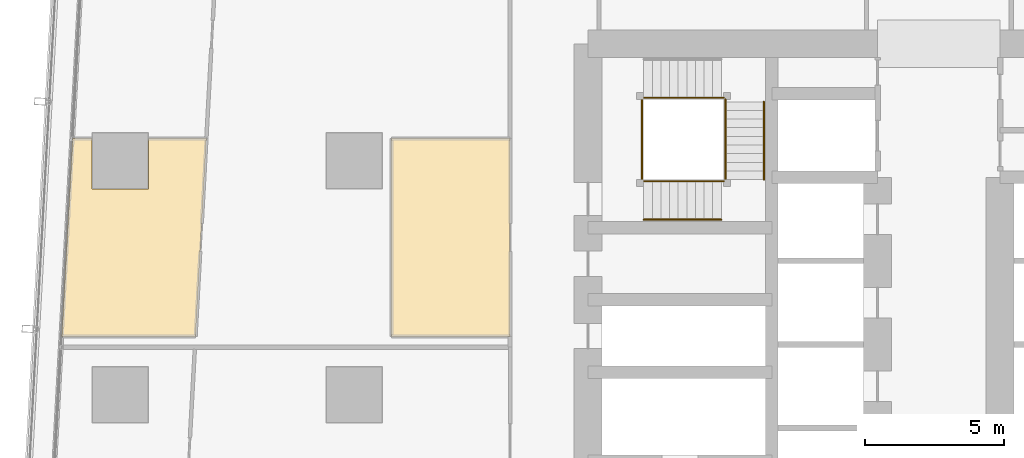
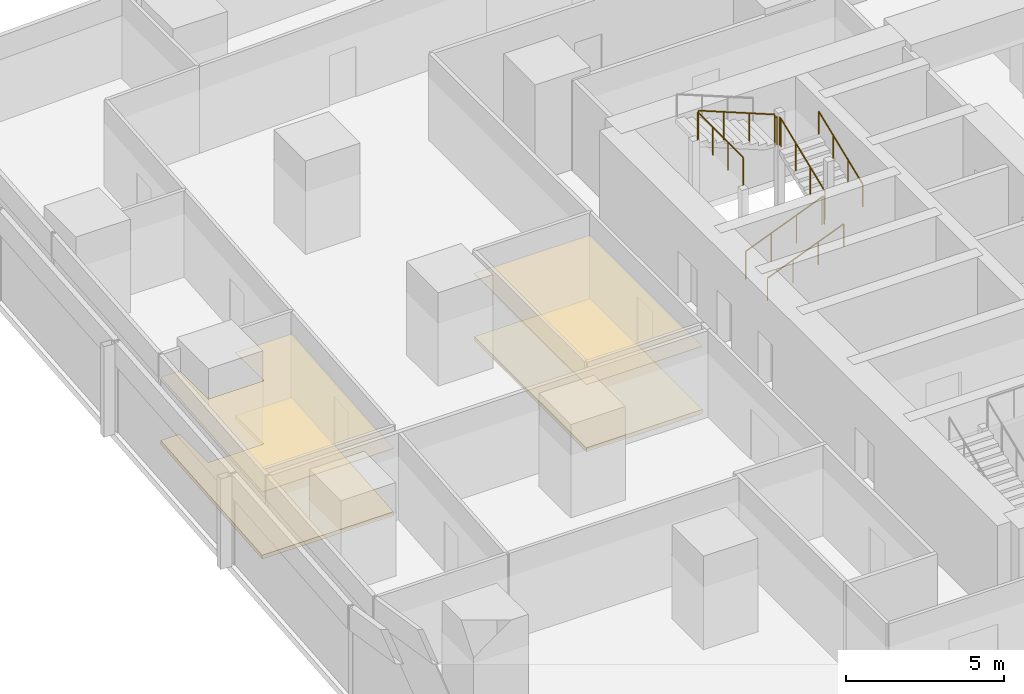
# One storey, part 35 of 39: 9 railings, 4 coverings.
"""IFC4 building model written with IfcOpenShell, lengths in metres."""

from ifc_helpers import new_model, si_unit, direction, frame, origin, origin_2d, place, context, subcontext, project, spatial, polyline, circle, outline, extrude, material, layer, layer_set, type_object, element, save


model = new_model("IFC4")

# Units and contexts
model_context = context("Model", 3, precision=1e-05, world=origin(), true_north=direction((0.0, 1.0)))
body_context = subcontext(model_context, "Body", "Model", "MODEL_VIEW")
ifc_project = project(units=[si_unit("LENGTHUNIT", "METRE"), si_unit("AREAUNIT", "SQUARE_METRE"), si_unit("VOLUMEUNIT", "CUBIC_METRE"), si_unit("PLANEANGLEUNIT", "RADIAN"), si_unit("MASSUNIT", "GRAM", prefix="KILO")], contexts=[model_context])

# Site, building, storey
site_placement = place(None, origin())
site = spatial("IfcSite", under=ifc_project, at=site_placement, CompositionType="ELEMENT")
building_placement = place(site_placement, origin())
building = spatial("IfcBuilding", under=site, at=building_placement, Name="Rekha Terrace Tower", CompositionType="ELEMENT")
storey_placement = place(building_placement, frame((0.0, 0.0, 151.550048828125)))
storey = spatial("IfcBuildingStorey", under=building, at=storey_placement, Name="L38", CompositionType="ELEMENT", Elevation=151.550048828125)

# Coverings
ifc_material_1 = material(Name="Mineral fibre tile in exposed grid", Category="finish")
ifc_layer_1 = layer(ifc_material_1, 0.02001953125)
ifc_layer_set_1 = layer_set([ifc_layer_1], Name="Mineral fibre tile in exposed grid")
covering_type_1 = type_object("IfcCoveringType", Name="CL1 600x1200 office grid ceiling", PredefinedType="CEILING", material=ifc_layer_set_1)
covering_1_placement = place(storey_placement, frame((0.0, 0.0, 2.579833984375)))
element("IfcCovering", 1, at=covering_1_placement, inside=storey, type_object=covering_type_1, Name="Ceiling L38-16", PredefinedType="CEILING", context=body_context, shape_type="SweptSolid", body=[
    extrude(outline(polyline([(7.385009765625, 42.7939453125), (6.68505859375, 42.7939453125), (6.2958984375, 35.68798828125), (11.10302734375, 35.68798828125), (11.492919921875, 42.7939453125), (9.4150390625, 42.7939453125), (9.4150390625, 40.985107421875), (7.385009765625, 40.985107421875), (7.385009765625, 42.7939453125)])), origin(), (0.0, 0.0, 1.0), 0.02001953125),
])
covering_2_placement = place(storey_placement, frame((0.0, 0.0, 2.579833984375)))
element("IfcCovering", 2, at=covering_2_placement, inside=storey, type_object=covering_type_1, Name="Ceiling L38-17", PredefinedType="CEILING", context=body_context, shape_type="SweptSolid", body=[
    extrude(outline(polyline([(22.39990234375, 42.794921875), (18.14990234375, 42.794921875), (18.14990234375, 35.68798828125), (22.39990234375, 35.68798828125), (22.39990234375, 42.794921875)])), origin(), (0.0, 0.0, 1.0), 0.02001953125),
])

# Railings
ifc_material_2 = material(Name="Stainless steel balustrade", Category="steel")
railing_type_1 = type_object("IfcRailingType", Name="GR1 1100 stair guard", PredefinedType="GUARDRAIL", material=ifc_material_2)
railing_1_placement = place(storey_placement, frame((27.199951171875, 41.264892578125, 0.125)))
element("IfcRailing", 3, at=railing_1_placement, inside=storey, type_object=railing_type_1, Name="Guard ST4 L38 flight 1", PredefinedType="GUARDRAIL", context=body_context, shape_type="SweptSolid", body=[
    extrude(circle(Radius=0.02392578125, at=origin_2d()), frame((0.0, 0.0, 1.076171875), z_axis=(0.927443287984, 0.0, 0.373963831907), x_axis=(0.0, 1.0, 0.0)), (0.0, 0.0, 1.0), 3.00830078125),
    extrude(circle(Radius=0.02099609375, at=origin_2d()), origin(), (0.0, 0.0, 1.0), 1.052001953125),
    extrude(circle(Radius=0.02099609375, at=origin_2d()), frame((0.929931640625, 0.0, 0.375)), (0.0, 0.0, 1.0), 1.052001953125),
    extrude(circle(Radius=0.02099609375, at=origin_2d()), frame((1.860107421875, 0.0, 0.75)), (0.0, 0.0, 1.0), 1.052001953125),
    extrude(circle(Radius=0.02099609375, at=origin_2d()), frame((2.7900390625, 0.0, 1.125)), (0.0, 0.0, 1.0), 1.052001953125),
])
railing_2_placement = place(storey_placement, frame((30.135009765625, 41.324951171875, 1.375)))
element("IfcRailing", 4, at=railing_2_placement, inside=storey, type_object=railing_type_1, Name="Guard ST4 L38 flight 2", PredefinedType="GUARDRAIL", context=body_context, shape_type="SweptSolid", body=[
    extrude(circle(Radius=0.02392578125, at=origin_2d()), frame((0.0, 0.0, 1.076171875), z_axis=(0.0, 0.927443287984, 0.373963831907), x_axis=(-1.0, 0.0, 0.0)), (0.0, 0.0, 1.0), 3.00830078125),
    extrude(circle(Radius=0.02099609375, at=origin_2d()), origin(), (0.0, 0.0, 1.0), 1.052001953125),
    extrude(circle(Radius=0.02099609375, at=origin_2d()), frame((0.0, 0.929931640625, 0.375)), (0.0, 0.0, 1.0), 1.052001953125),
    extrude(circle(Radius=0.02099609375, at=origin_2d()), frame((0.0, 1.860107421875, 0.75)), (0.0, 0.0, 1.0), 1.052001953125),
    extrude(circle(Radius=0.02099609375, at=origin_2d()), frame((0.0, 2.7900390625, 1.125)), (0.0, 0.0, 1.0), 1.052001953125),
])
railing_3_placement = place(storey_placement, frame((29.989990234375, 44.260009765625, 2.625)))
element("IfcRailing", 5, at=railing_3_placement, inside=storey, type_object=railing_type_1, Name="Guard ST4 L38 flight 3", PredefinedType="GUARDRAIL", context=body_context, shape_type="SweptSolid", body=[
    extrude(circle(Radius=0.02392578125, at=origin_2d()), frame((0.0, 0.0, 1.076171875), z_axis=(-0.927443287984, 0.0, 0.373963831907), x_axis=(0.0, -1.0, 0.0)), (0.0, 0.0, 1.0), 3.00830078125),
    extrude(circle(Radius=0.02099609375, at=origin_2d()), origin(), (0.0, 0.0, 1.0), 1.052001953125),
    extrude(circle(Radius=0.02099609375, at=origin_2d()), frame((-0.929931640625, 0.0, 0.375)), (0.0, 0.0, 1.0), 1.052001953125),
    extrude(circle(Radius=0.02099609375, at=origin_2d()), frame((-1.860107421875, 0.0, 0.75)), (0.0, 0.0, 1.0), 1.052001953125),
    extrude(circle(Radius=0.02099609375, at=origin_2d()), frame((-2.7900390625, 0.0, 1.125)), (0.0, 0.0, 1.0), 1.052001953125),
])
railing_4_placement = place(storey_placement, frame((29.989990234375, 41.264892578125, 1.25)))
element("IfcRailing", 6, at=railing_4_placement, inside=storey, type_object=railing_type_1, Name="Guard ST4 L38 landing 1", PredefinedType="GUARDRAIL", context=body_context, shape_type="SweptSolid", body=[
    extrude(circle(Radius=0.02392578125, at=origin_2d()), frame((0.0, 0.0, 1.076171875), z_axis=(1.0, 0.0, 0.0), x_axis=(0.0, 1.0, 0.0)), (0.0, 0.0, 1.0), 0.0849609375),
    extrude(circle(Radius=0.02099609375, at=origin_2d()), origin(), (0.0, 0.0, 1.0), 1.052001953125),
    extrude(circle(Radius=0.02099609375, at=origin_2d()), frame((0.0849609375, 0.0, 0.0)), (0.0, 0.0, 1.0), 1.052001953125),
])
railing_5_placement = place(storey_placement, frame((30.135009765625, 44.114990234375, 2.5)))
element("IfcRailing", 7, at=railing_5_placement, inside=storey, type_object=railing_type_1, Name="Guard ST4 L38 landing 2", PredefinedType="GUARDRAIL", context=body_context, shape_type="SweptSolid", body=[
    extrude(circle(Radius=0.02392578125, at=origin_2d()), frame((0.0, 0.0, 1.076171875), z_axis=(0.0, 1.0, 0.0), x_axis=(-1.0, 0.0, 0.0)), (0.0, 0.0, 1.0), 0.0849609375),
    extrude(circle(Radius=0.02099609375, at=origin_2d()), origin(), (0.0, 0.0, 1.0), 1.052001953125),
    extrude(circle(Radius=0.02099609375, at=origin_2d()), frame((0.0, 0.0849609375, 0.0)), (0.0, 0.0, 1.0), 1.052001953125),
])
railing_6_placement = place(storey_placement, frame((29.989990234375, 44.260009765625, 2.5)))
element("IfcRailing", 8, at=railing_6_placement, inside=storey, type_object=railing_type_1, Name="Guard ST4 L38 landing 3", PredefinedType="GUARDRAIL", context=body_context, shape_type="SweptSolid", body=[
    extrude(circle(Radius=0.02392578125, at=origin_2d()), frame((0.0, 0.0, 1.076171875), z_axis=(1.0, 0.0, 0.0), x_axis=(0.0, 1.0, 0.0)), (0.0, 0.0, 1.0), 0.0849609375),
    extrude(circle(Radius=0.02099609375, at=origin_2d()), origin(), (0.0, 0.0, 1.0), 1.052001953125),
    extrude(circle(Radius=0.02099609375, at=origin_2d()), frame((0.0849609375, 0.0, 0.0)), (0.0, 0.0, 1.0), 1.052001953125),
])
railing_7_placement = place(storey_placement, frame((27.139892578125, 41.324951171875, 3.75)))
element("IfcRailing", 9, at=railing_7_placement, inside=storey, type_object=railing_type_1, Name="Guard ST4 L38 landing 4", PredefinedType="GUARDRAIL", context=body_context, shape_type="SweptSolid", body=[
    extrude(circle(Radius=0.02392578125, at=origin_2d()), frame((0.0, 0.0, 1.076171875), z_axis=(0.0, 1.0, 0.0), x_axis=(-1.0, 0.0, 0.0)), (0.0, 0.0, 1.0), 2.875),
    extrude(circle(Radius=0.02099609375, at=origin_2d()), origin(), (0.0, 0.0, 1.0), 1.052001953125),
    extrude(circle(Radius=0.02099609375, at=origin_2d()), frame((0.0, 0.958251953125, 0.0)), (0.0, 0.0, 1.0), 1.052001953125),
    extrude(circle(Radius=0.02099609375, at=origin_2d()), frame((0.0, 1.916748046875, 0.0)), (0.0, 0.0, 1.0), 1.052001953125),
    extrude(circle(Radius=0.02099609375, at=origin_2d()), frame((0.0, 2.875, 0.0)), (0.0, 0.0, 1.0), 1.052001953125),
])
ifc_material_3 = material(Name="Stainless steel tube", Category="steel")
railing_type_2 = type_object("IfcRailingType", Name="HR1 900 stair handrail", PredefinedType="HANDRAIL", material=ifc_material_3)
railing_8_placement = place(storey_placement, frame((27.199951171875, 39.885009765625, 0.125)))
element("IfcRailing", 10, at=railing_8_placement, inside=storey, type_object=railing_type_2, Name="Handrail ST4 L38 flight 1", PredefinedType="HANDRAIL", context=body_context, shape_type="SweptSolid", body=[
    extrude(circle(Radius=0.02392578125, at=origin_2d()), frame((0.0, 0.0, 0.8759765625), z_axis=(0.927443287984, 0.0, 0.373963831907), x_axis=(0.0, 1.0, 0.0)), (0.0, 0.0, 1.0), 3.00830078125),
    extrude(circle(Radius=0.02099609375, at=origin_2d()), origin(), (0.0, 0.0, 1.0), 0.851806640625),
    extrude(circle(Radius=0.02099609375, at=origin_2d()), frame((0.929931640625, 0.0, 0.375)), (0.0, 0.0, 1.0), 0.851806640625),
    extrude(circle(Radius=0.02099609375, at=origin_2d()), frame((1.860107421875, 0.0, 0.75)), (0.0, 0.0, 1.0), 0.851806640625),
    extrude(circle(Radius=0.02099609375, at=origin_2d()), frame((2.7900390625, 0.0, 1.125)), (0.0, 0.0, 1.0), 0.851806640625),
])
railing_9_placement = place(storey_placement, frame((31.514892578125, 41.324951171875, 1.375)))
element("IfcRailing", 11, at=railing_9_placement, inside=storey, type_object=railing_type_2, Name="Handrail ST4 L38 flight 2", PredefinedType="HANDRAIL", context=body_context, shape_type="SweptSolid", body=[
    extrude(circle(Radius=0.02392578125, at=origin_2d()), frame((0.0, 0.0, 0.8759765625), z_axis=(0.0, 0.927443287984, 0.373963831907), x_axis=(-1.0, 0.0, 0.0)), (0.0, 0.0, 1.0), 3.00830078125),
    extrude(circle(Radius=0.02099609375, at=origin_2d()), origin(), (0.0, 0.0, 1.0), 0.851806640625),
    extrude(circle(Radius=0.02099609375, at=origin_2d()), frame((0.0, 0.929931640625, 0.375)), (0.0, 0.0, 1.0), 0.851806640625),
    extrude(circle(Radius=0.02099609375, at=origin_2d()), frame((0.0, 1.860107421875, 0.75)), (0.0, 0.0, 1.0), 0.851806640625),
    extrude(circle(Radius=0.02099609375, at=origin_2d()), frame((0.0, 2.7900390625, 1.125)), (0.0, 0.0, 1.0), 0.851806640625),
])

# Coverings
ifc_material_4 = material(Name="Calcium sulphate panels on steel pedestals", Category="steel")
ifc_layer_2 = layer(ifc_material_4, 0.14990234375)
ifc_layer_set_2 = layer_set([ifc_layer_2], Name="Calcium sulphate panels on steel pedestals")
covering_type_2 = type_object("IfcCoveringType", Name="RF1 150 raised access floor", PredefinedType="FLOORING", material=ifc_layer_set_2)
covering_3_placement = place(storey_placement, origin())
element("IfcCovering", 12, at=covering_3_placement, inside=storey, type_object=covering_type_2, Name="Raised floor L38-16", PredefinedType="FLOORING", context=body_context, shape_type="SweptSolid", body=[
    extrude(outline(polyline([(7.385009765625, 42.7939453125), (6.68505859375, 42.7939453125), (6.2958984375, 35.68798828125), (11.10302734375, 35.68798828125), (11.492919921875, 42.7939453125), (9.4150390625, 42.7939453125), (9.4150390625, 40.985107421875), (7.385009765625, 40.985107421875), (7.385009765625, 42.7939453125)])), origin(), (0.0, 0.0, 1.0), 0.14990234375),
])
covering_4_placement = place(storey_placement, origin())
element("IfcCovering", 13, at=covering_4_placement, inside=storey, type_object=covering_type_2, Name="Raised floor L38-17", PredefinedType="FLOORING", context=body_context, shape_type="SweptSolid", body=[
    extrude(outline(polyline([(22.39990234375, 42.794921875), (18.14990234375, 42.794921875), (18.14990234375, 35.68798828125), (22.39990234375, 35.68798828125), (22.39990234375, 42.794921875)])), origin(), (0.0, 0.0, 1.0), 0.14990234375),
])

save(model, "model.ifc")
